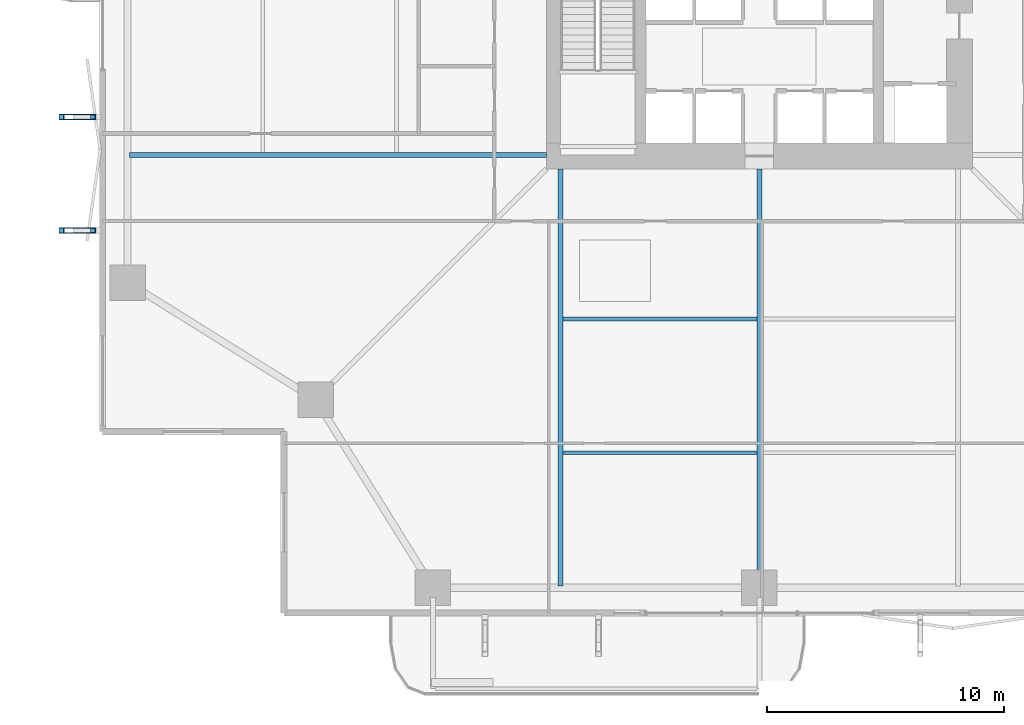
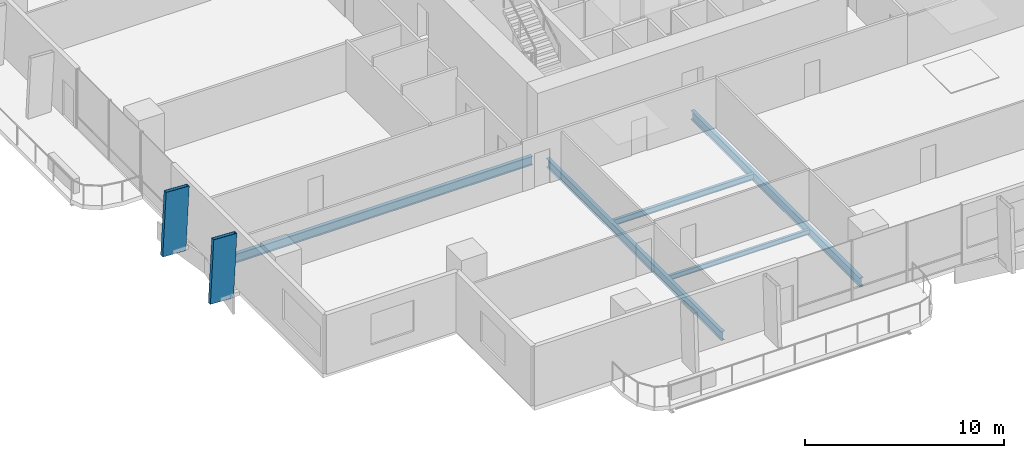
# One storey, part 3 of 23: 5 beams, 2 members.
"""IFC4 building model written with IfcOpenShell, lengths in metres."""

from ifc_helpers import new_model, si_unit, direction, frame, origin, origin_2d, place, context, subcontext, project, spatial, hollow_rectangle, i_section, extrude, material, material_profile, profile_set, type_object, element, save


model = new_model("IFC4")

# Units and contexts
model_context = context("Model", 3, precision=1e-05, world=origin(), true_north=direction((0.0, 1.0)))
body_context = subcontext(model_context, "Body", "Model", "MODEL_VIEW")
ifc_project = project(units=[si_unit("LENGTHUNIT", "METRE"), si_unit("AREAUNIT", "SQUARE_METRE"), si_unit("VOLUMEUNIT", "CUBIC_METRE"), si_unit("PLANEANGLEUNIT", "RADIAN"), si_unit("MASSUNIT", "GRAM", prefix="KILO")], contexts=[model_context])

# Site, building, storey
site_placement = place(None, origin())
site = spatial("IfcSite", under=ifc_project, at=site_placement, CompositionType="ELEMENT")
building_placement = place(site_placement, origin())
building = spatial("IfcBuilding", under=site, at=building_placement, Name="Belovzor Exchange Tower", CompositionType="ELEMENT")
storey_placement = place(building_placement, frame((0.0, 0.0, 76.800048828125)))
storey = spatial("IfcBuildingStorey", under=building, at=storey_placement, Name="L18", CompositionType="ELEMENT", Elevation=76.800048828125)

# Members
ifc_material_1 = material(Name="Extruded Architectural Terracotta on Steel S355 Carrier", Category="masonry")
ifc_material_profile_1 = material_profile(ifc_material_1, hollow_rectangle(XDim=0.219970703125, YDim=1.35009765625, WallThickness=0.013916015625, at=origin_2d()))
ifc_profile_set_1 = profile_set([ifc_material_profile_1], Name="Extruded Architectural Terracotta on Steel S355 Carrier")
member_type = type_object("IfcMemberType", Name="Base Arc Sweeping Terracotta Pylon Fin 1450", PredefinedType="USERDEFINED", material=ifc_profile_set_1)
for number, where, z_axis, x_axis, name in (
    (1, (-0.1259765625, 17.199951171875, -0.25), (0.050704695274, 0.0, 0.998713689641), (0.0, 1.0, 0.0), "FIN-TC145 Terracotta Facade Fin L18 W1"),
    (2, (-0.1259765625, 22.0, -0.25), (0.050704695274, 0.0, 0.998713689641), (0.0, 1.0, 0.0), "FIN-TC145 Terracotta Facade Fin L18 W2"),
):
    element("IfcMember", number, at=place(storey_placement, frame(where, z_axis=z_axis, x_axis=x_axis)), inside=storey, type_object=member_type, Name=name, ObjectType="FIN", PredefinedType="USERDEFINED", context=body_context, shape_type="SweptSolid", body=[
        extrude(hollow_rectangle(XDim=0.219970703125, YDim=1.35009765625, WallThickness=0.013916015625, at=origin_2d()), origin(), (0.0, 0.0, 1.0), 3.905029296875),
    ])

# Beams
ifc_material_2 = material(Name="Steel S355", Category="steel")
ifc_material_profile_2 = material_profile(ifc_material_2, i_section(OverallWidth=0.169921875, OverallDepth=0.360107421875, WebThickness=0.008056640625, FlangeThickness=0.0126953125, at=origin_2d()))
ifc_profile_set_2 = profile_set([ifc_material_profile_2], Name="Steel S355")
beam_type_1 = type_object("IfcBeamType", Name="Secondary Infill Floor Joist IPE 360", PredefinedType="BEAM", material=ifc_profile_set_2)
beam_1_placement = place(storey_placement, frame((20.5048828125, 13.455078125, -0.429931640625), z_axis=(1.0, 0.0, 0.0), x_axis=(0.0, 1.0, 0.0)))
element("IfcBeam", 3, at=beam_1_placement, inside=storey, type_object=beam_type_1, Name="FJ-360 Secondary Infill Floor Joist IPE 360", PredefinedType="BEAM", context=body_context, shape_type="SweptSolid", body=[
    extrude(i_section(OverallWidth=0.169921875, OverallDepth=0.360107421875, WebThickness=0.008056640625, FlangeThickness=0.0126953125, at=origin_2d()), origin(), (0.0, 0.0, 1.0), 8.190185546875),
])
ifc_material_3 = material(Name="Steel S355", Category="steel")
ifc_material_profile_3 = material_profile(ifc_material_3, i_section(OverallWidth=0.14990234375, OverallDepth=0.300048828125, WebThickness=0.007080078125, FlangeThickness=0.0107421875, at=origin_2d()))
ifc_profile_set_3 = profile_set([ifc_material_profile_3], Name="Steel S355")
beam_type_2 = type_object("IfcBeamType", Name="Secondary Trim Floor Joist IPE 300", PredefinedType="BEAM", material=ifc_profile_set_3)
beam_2_placement = place(storey_placement, frame((20.5048828125, 7.81494140625, -0.400146484375), z_axis=(1.0, 0.0, 0.0), x_axis=(0.0, 1.0, 0.0)))
element("IfcBeam", 4, at=beam_2_placement, inside=storey, type_object=beam_type_2, Name="FJ-300 Secondary Trim Floor Joist IPE 300", PredefinedType="BEAM", context=body_context, shape_type="SweptSolid", body=[
    extrude(i_section(OverallWidth=0.14990234375, OverallDepth=0.300048828125, WebThickness=0.007080078125, FlangeThickness=0.0107421875, at=origin_2d()), origin(), (0.0, 0.0, 1.0), 8.190185546875),
])
ifc_material_4 = material(Name="Steel S355", Category="steel")
ifc_material_profile_4 = material_profile(ifc_material_4, i_section(OverallWidth=0.2099609375, OverallDepth=0.550048828125, WebThickness=0.010986328125, FlangeThickness=0.01708984375, at=origin_2d()))
ifc_profile_set_4 = profile_set([ifc_material_profile_4], Name="Steel S355")
beam_type_3 = type_object("IfcBeamType", Name="Zone 1 Radial Composite Floor Beam IPE 550", PredefinedType="BEAM", material=ifc_profile_set_4)
beam_3_placement = place(storey_placement, frame((20.39990234375, 19.800048828125, -0.525146484375), z_axis=(0.0, -1.0, 0.0), x_axis=(1.0, 0.0, 0.0)))
element("IfcBeam", 5, at=beam_3_placement, inside=storey, type_object=beam_type_3, Name="FB-550 Zone 1 Radial Composite Floor Beam IPE 550", PredefinedType="BEAM", context=body_context, shape_type="SweptSolid", body=[
    extrude(i_section(OverallWidth=0.2099609375, OverallDepth=0.550048828125, WebThickness=0.010986328125, FlangeThickness=0.01708984375, at=origin_2d()), origin(), (0.0, 0.0, 1.0), 17.625),
])
beam_4_placement = place(storey_placement, frame((28.800048828125, 19.800048828125, -0.525146484375), z_axis=(0.0, -1.0, 0.0), x_axis=(1.0, 0.0, 0.0)))
element("IfcBeam", 6, at=beam_4_placement, inside=storey, type_object=beam_type_3, Name="FB-550 Zone 1 Radial Composite Floor Beam IPE 550", PredefinedType="BEAM", context=body_context, shape_type="SweptSolid", body=[
    extrude(i_section(OverallWidth=0.2099609375, OverallDepth=0.550048828125, WebThickness=0.010986328125, FlangeThickness=0.01708984375, at=origin_2d()), origin(), (0.0, 0.0, 1.0), 17.0400390625),
])
beam_5_placement = place(storey_placement, frame((19.800048828125, 20.39990234375, -0.525146484375), z_axis=(-1.0, 0.0, 0.0), x_axis=(0.0, -1.0, 0.0)))
element("IfcBeam", 7, at=beam_5_placement, inside=storey, type_object=beam_type_3, Name="FB-550 Zone 1 Radial Composite Floor Beam IPE 550", PredefinedType="BEAM", context=body_context, shape_type="SweptSolid", body=[
    extrude(i_section(OverallWidth=0.2099609375, OverallDepth=0.550048828125, WebThickness=0.010986328125, FlangeThickness=0.01708984375, at=origin_2d()), origin(), (0.0, 0.0, 1.0), 17.625),
])

save(model, "model.ifc")
